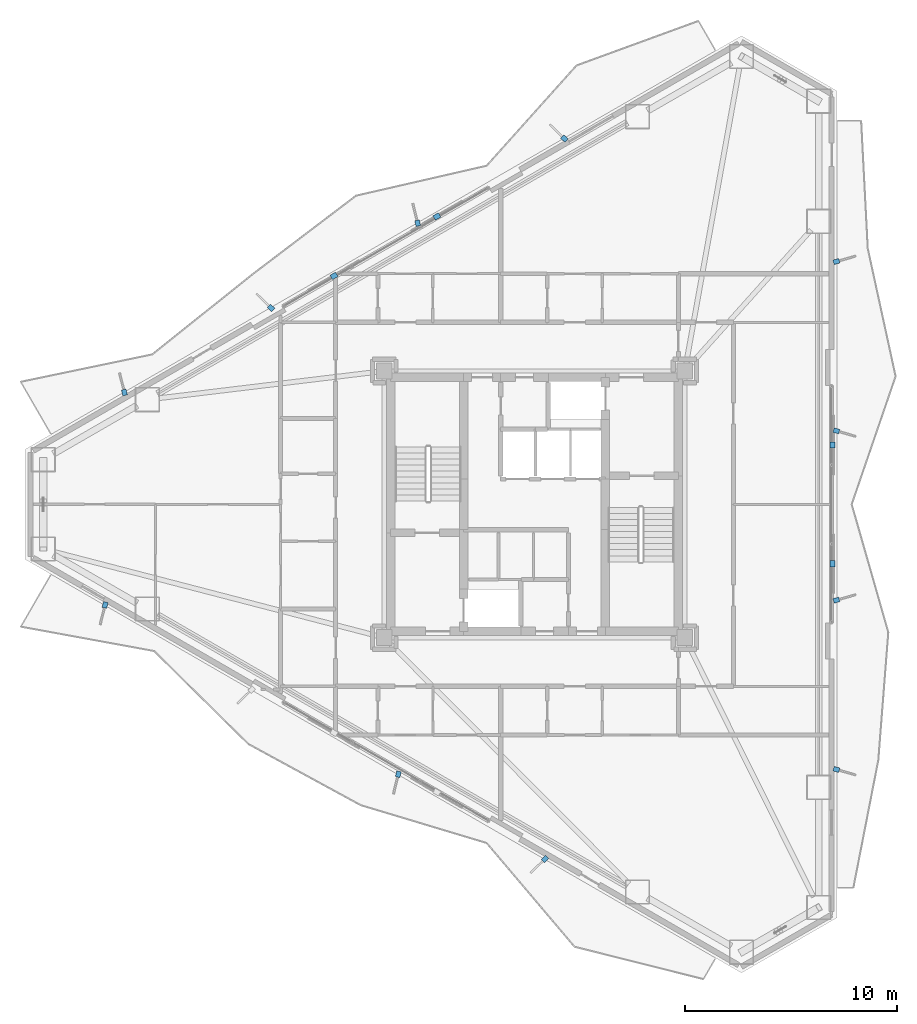
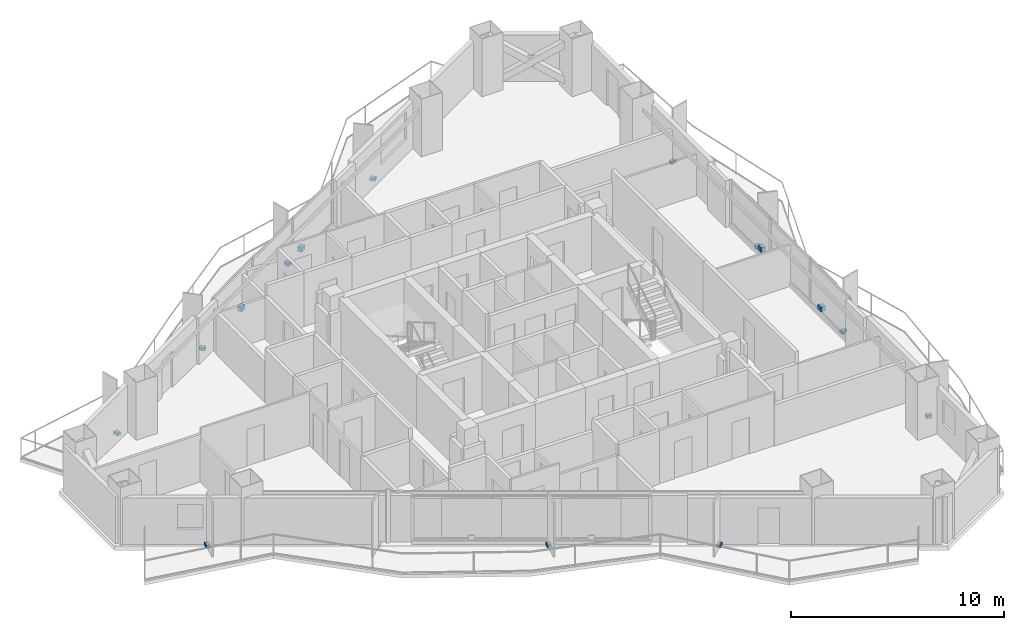
# One storey, part 21 of 23: 15 discrete accessories.
"""IFC4 building model written with IfcOpenShell, lengths in metres."""

from ifc_helpers import new_model, si_unit, direction, frame, origin, origin_2d, place, context, subcontext, project, spatial, rectangle, extrude, material, layer, layer_set, type_object, element, save


model = new_model("IFC4")

# Units and contexts
model_context = context("Model", 3, precision=1e-05, world=origin(), true_north=direction((0.0, 1.0)))
body_context = subcontext(model_context, "Body", "Model", "MODEL_VIEW")
ifc_project = project(units=[si_unit("LENGTHUNIT", "METRE"), si_unit("AREAUNIT", "SQUARE_METRE"), si_unit("VOLUMEUNIT", "CUBIC_METRE"), si_unit("PLANEANGLEUNIT", "RADIAN"), si_unit("MASSUNIT", "GRAM", prefix="KILO")], contexts=[model_context])

# Site, building, storey
site_placement = place(None, origin())
site = spatial("IfcSite", under=ifc_project, at=site_placement, CompositionType="ELEMENT")
building_placement = place(site_placement, origin())
building = spatial("IfcBuilding", under=site, at=building_placement, Name="Mersakhor Tower and Convention Hall", CompositionType="ELEMENT")
storey_placement = place(building_placement, frame((0.0, 0.0, 96.60009765625)))
storey = spatial("IfcBuildingStorey", under=building, at=storey_placement, Name="L26", CompositionType="ELEMENT", Elevation=96.60009765625)

# Discrete accessories
ifc_material = material(Name="Galvanised steel bracket", Category="steel")
ifc_layer = layer(ifc_material, 0.02001953125)
ifc_layer_set = layer_set([ifc_layer], Name="Galvanised steel bracket")
discrete_accessory_type = type_object("IfcDiscreteAccessoryType", Name="ACC-BRK-STL", PredefinedType="BRACKET", material=ifc_layer_set)
for number, where, z_axis, x_axis, name in (
    (1, (19.5263671875, 37.5439453125, 0.2900390625), (0.0, 0.0, 1.0), (0.866025403784, 0.5, 0.0), "L26 Solar Screen Outrigger Bracket BRK-1-1"),
    (2, (24.388916015625, 40.351318359375, 0.2900390625), (0.0, 0.0, 1.0), (0.866025403784, 0.5, 0.0), "L26 Solar Screen Outrigger Bracket BRK-1-2"),
):
    element("IfcDiscreteAccessory", number, at=place(storey_placement, frame(where, z_axis=z_axis, x_axis=x_axis)), inside=storey, type_object=discrete_accessory_type, Name=name, PredefinedType="BRACKET", context=body_context, shape_type="SweptSolid", body=[
        extrude(rectangle(XDim=0.300048828125, YDim=0.239990234375, at=origin_2d()), origin(), (0.0, 0.0, 1.0), 0.260009765625),
    ])
for number, where, z_axis, x_axis, name in (
    (3, (9.623291015625, 32.0341796875, -0.02001953125), (0.0, 0.0, 1.0), (-0.2419218956, 0.970295726276, 0.0), "L26 Facade Fin Base Cleat Bracket FBRK-1-1"),
    (4, (16.551513671875, 36.0341796875, -0.02001953125), (0.0, 0.0, 1.0), (-0.719339800339, 0.694658370459, 0.0), "L26 Facade Fin Base Cleat Bracket FBRK-1-2"),
    (5, (23.4794921875, 40.0341796875, -0.02001953125), (0.0, 0.0, 1.0), (-0.2419218956, 0.970295726276, 0.0), "L26 Facade Fin Base Cleat Bracket FBRK-1-3"),
    (6, (30.40771484375, 44.0341796875, -0.02001953125), (0.0, 0.0, 1.0), (-0.719339800339, 0.694658370459, 0.0), "L26 Facade Fin Base Cleat Bracket FBRK-1-4"),
):
    element("IfcDiscreteAccessory", number, at=place(storey_placement, frame(where, z_axis=z_axis, x_axis=x_axis)), inside=storey, type_object=discrete_accessory_type, Name=name, PredefinedType="BRACKET", context=body_context, shape_type="SweptSolid", body=[
        extrude(rectangle(XDim=0.280029296875, YDim=0.219970703125, at=origin_2d()), origin(), (0.0, 0.0, 1.0), 0.159912109375),
    ])
for number, where, z_axis, x_axis, name in (
    (7, (43.084716796875, 29.557373046875, 0.2900390625), (0.0, 0.0, 1.0), (0.0, -1.0, 0.0), "L26 Solar Screen Outrigger Bracket BRK-2-1"),
    (8, (43.084716796875, 23.942626953125, 0.2900390625), (0.0, 0.0, 1.0), (0.0, -1.0, 0.0), "L26 Solar Screen Outrigger Bracket BRK-2-2"),
):
    element("IfcDiscreteAccessory", number, at=place(storey_placement, frame(where, z_axis=z_axis, x_axis=x_axis)), inside=storey, type_object=discrete_accessory_type, Name=name, PredefinedType="BRACKET", context=body_context, shape_type="SweptSolid", body=[
        extrude(rectangle(XDim=0.300048828125, YDim=0.239990234375, at=origin_2d()), origin(), (0.0, 0.0, 1.0), 0.260009765625),
    ])
for number, where, z_axis, x_axis, name in (
    (9, (43.2646484375, 38.221923828125, -0.02001953125), (0.0, 0.0, 1.0), (0.961261695938, 0.275637355817, 0.0), "L26 Facade Fin Base Cleat Bracket FBRK-2-1"),
    (10, (43.2646484375, 30.221923828125, -0.02001953125), (0.0, 0.0, 1.0), (0.961261695938, -0.275637355817, 0.0), "L26 Facade Fin Base Cleat Bracket FBRK-2-2"),
    (11, (43.2646484375, 22.221923828125, -0.02001953125), (0.0, 0.0, 1.0), (0.961261695938, 0.275637355817, 0.0), "L26 Facade Fin Base Cleat Bracket FBRK-2-3"),
    (12, (43.2646484375, 14.221923828125, -0.02001953125), (0.0, 0.0, 1.0), (0.961261695938, -0.275637355817, 0.0), "L26 Facade Fin Base Cleat Bracket FBRK-2-4"),
    (13, (29.493408203125, 9.993896484375, -0.02001953125), (0.0, 0.0, 1.0), (-0.719339800339, -0.694658370459, 0.0), "L26 Facade Fin Base Cleat Bracket FBRK-3-1"),
    (14, (22.565185546875, 13.993896484375, -0.02001953125), (0.0, 0.0, 1.0), (-0.2419218956, -0.970295726276, 0.0), "L26 Facade Fin Base Cleat Bracket FBRK-3-2"),
    (15, (8.708740234375, 21.993896484375, -0.02001953125), (0.0, 0.0, 1.0), (-0.2419218956, -0.970295726276, 0.0), "L26 Facade Fin Base Cleat Bracket FBRK-3-4"),
):
    element("IfcDiscreteAccessory", number, at=place(storey_placement, frame(where, z_axis=z_axis, x_axis=x_axis)), inside=storey, type_object=discrete_accessory_type, Name=name, PredefinedType="BRACKET", context=body_context, shape_type="SweptSolid", body=[
        extrude(rectangle(XDim=0.280029296875, YDim=0.219970703125, at=origin_2d()), origin(), (0.0, 0.0, 1.0), 0.159912109375),
    ])

save(model, "model.ifc")
